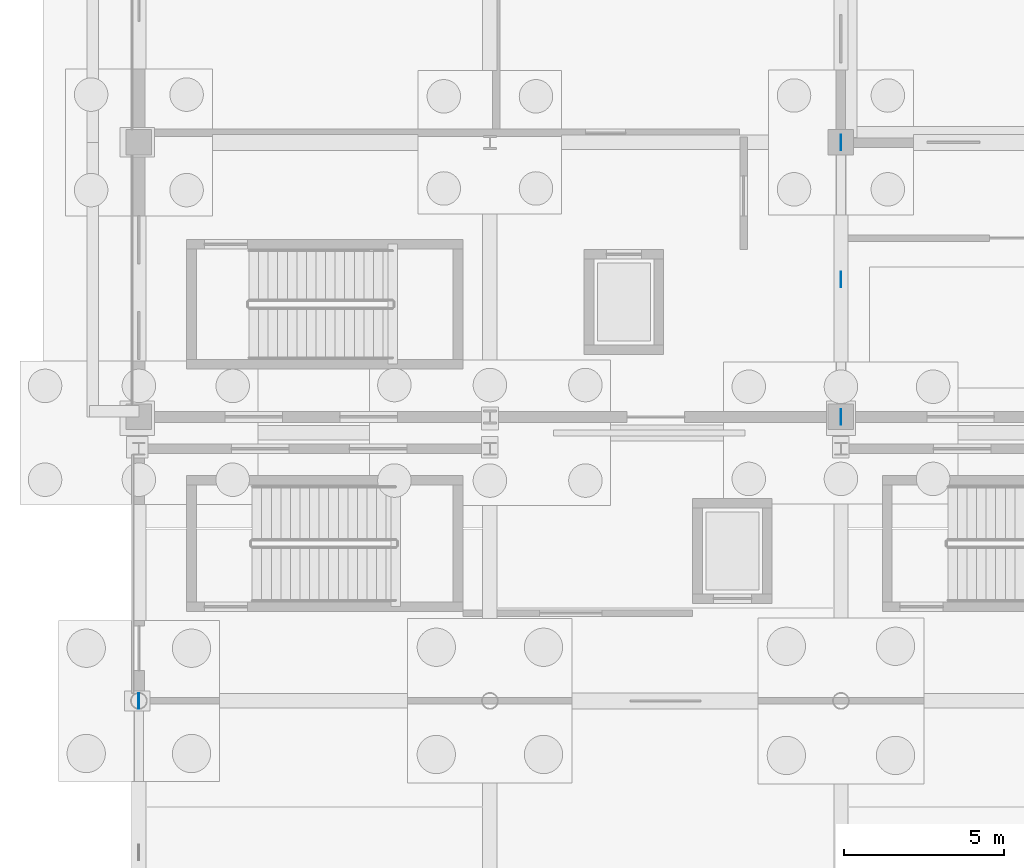
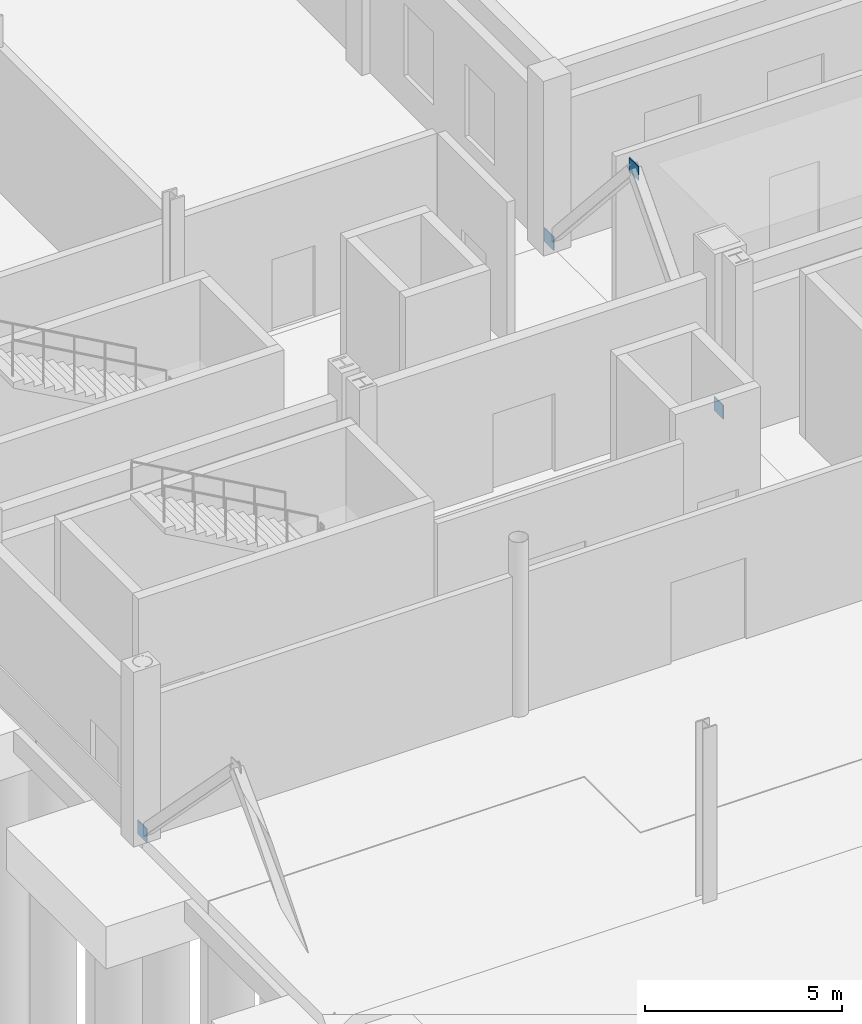
# One storey, part 41 of 83: 4 plates.
"""IFC4 building model written with IfcOpenShell, lengths in metres."""

from ifc_helpers import new_model, si_unit, direction, frame, origin, origin_2d, place, context, subcontext, project, spatial, rectangle, extrude, material, layer, layer_set, type_object, element, save


model = new_model("IFC4")

# Units and contexts
model_context = context("Model", 3, precision=1e-05, world=origin(), true_north=direction((0.0, 1.0)))
body_context = subcontext(model_context, "Body", "Model", "MODEL_VIEW")
ifc_project = project(units=[si_unit("LENGTHUNIT", "METRE"), si_unit("AREAUNIT", "SQUARE_METRE"), si_unit("VOLUMEUNIT", "CUBIC_METRE"), si_unit("PLANEANGLEUNIT", "RADIAN"), si_unit("MASSUNIT", "GRAM", prefix="KILO")], contexts=[model_context])

# Site, building, storey
site_placement = place(None, origin())
site = spatial("IfcSite", under=ifc_project, at=site_placement, CompositionType="ELEMENT")
building_placement = place(site_placement, origin())
building = spatial("IfcBuilding", under=site, at=building_placement, Name="Caurita Quay Ferry Terminal", CompositionType="ELEMENT")
storey_placement = place(building_placement, origin())
storey = spatial("IfcBuildingStorey", under=building, at=storey_placement, Name="L00", CompositionType="ELEMENT", Elevation=0.0)

# Plates
ifc_material = material(Name="Structural plate steel ASTM A572 Gr. 50", Category="steel")
ifc_layer_1 = layer(ifc_material, 0.01806640625, Name="Structural steel connection plate 18 mm")
ifc_layer_set_1 = layer_set([ifc_layer_1], Name="Structural plate steel ASTM A572 Gr. 50")
plate_type_1 = type_object("IfcPlateType", Name="PLT-STL-18", PredefinedType="USERDEFINED", material=ifc_layer_set_1)
for number, where, z_axis, x_axis, name in (
    (1, (0.0, 62.699951171875, -0.06005859375), (0.0, 0.0, 1.0), (0.0, 1.0, 0.0), "L00 Seismic Brace Gusset 01-BSR"),
    (2, (22.0, 71.60009765625, -0.06005859375), (0.0, 0.0, 1.0), (0.0, 1.0, 0.0), "L00 Seismic Brace Gusset 17-BSL"),
    (3, (22.0, 80.199951171875, -0.06005859375), (0.0, 0.0, 1.0), (0.0, 1.0, 0.0), "L00 Seismic Brace Gusset 17-BSR"),
):
    element("IfcPlate", number, at=place(storey_placement, frame(where, z_axis=z_axis, x_axis=x_axis)), inside=storey, type_object=plate_type_1, Name=name, ObjectType="GUSSET PLATE", PredefinedType="USERDEFINED", context=body_context, shape_type="SweptSolid", body=[
        extrude(rectangle(XDim=0.47998046875, YDim=0.02490234375, at=origin_2d()), origin(), (0.0, 0.0, 1.0), 0.419921875),
    ])
ifc_layer_2 = layer(ifc_material, 0.02490234375, Name="Structural steel connection plate 25 mm")
ifc_layer_set_2 = layer_set([ifc_layer_2], Name="Structural plate steel ASTM A572 Gr. 50")
plate_type_2 = type_object("IfcPlateType", Name="PLT-STL-25", PredefinedType="USERDEFINED", material=ifc_layer_set_2)
plate_placement = place(storey_placement, frame((22.0, 75.89990234375, 4.719970703125), z_axis=(0.0, 0.0, 1.0), x_axis=(0.0, 1.0, 0.0)))
element("IfcPlate", 4, at=plate_placement, inside=storey, type_object=plate_type_2, Name="L00 Seismic Brace Gusset 17-APX", ObjectType="GUSSET PLATE", PredefinedType="USERDEFINED", context=body_context, shape_type="SweptSolid", body=[
    extrude(rectangle(XDim=0.47998046875, YDim=0.02490234375, at=origin_2d()), origin(), (0.0, 0.0, 1.0), 0.419921875),
])

save(model, "model.ifc")
